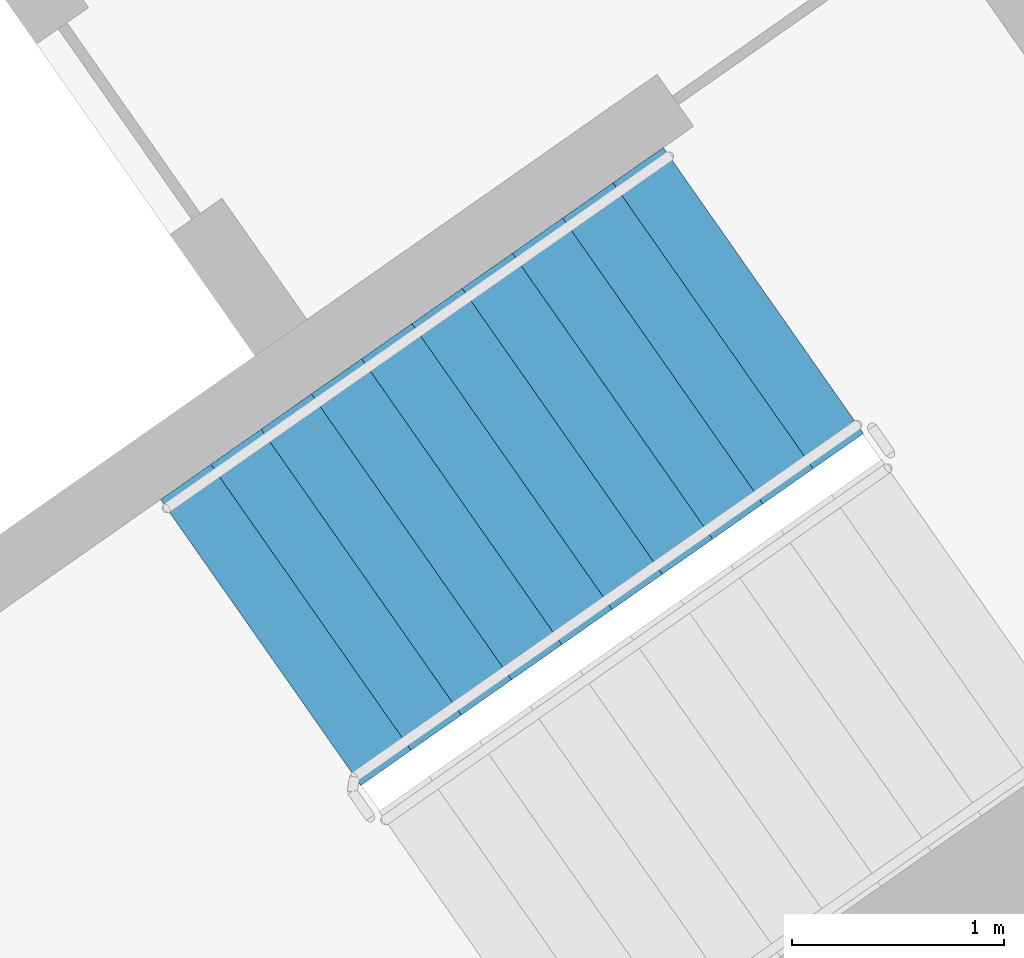
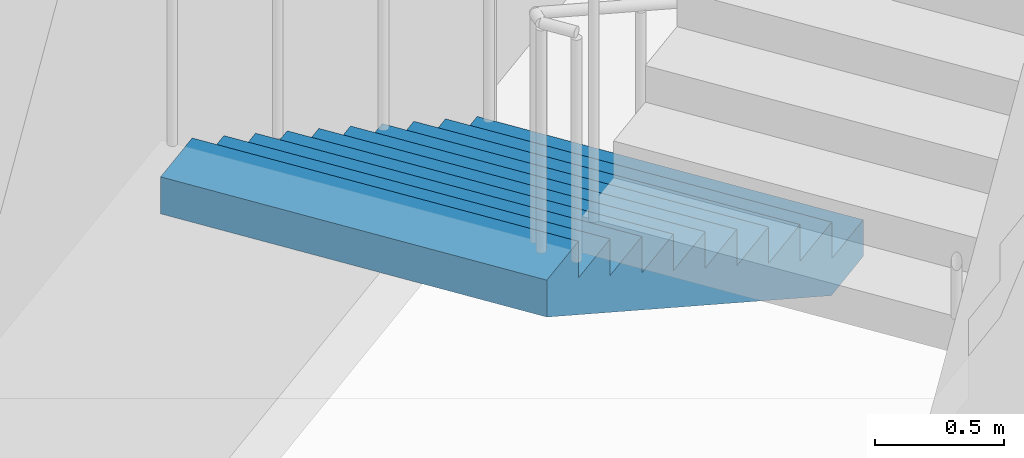
# One storey, part 15 of 28: 1 stair flight, 1 element without a shape of its own.
"""IFC4 building model written with IfcOpenShell, lengths in metres."""

from ifc_helpers import new_model, si_unit, direction, frame, origin, place, context, subcontext, project, spatial, faceted_brep, material, type_object, element, aggregate, save


model = new_model("IFC4")

# Units and contexts
model_context = context("Model", 3, precision=1e-05, world=origin(), true_north=direction((0.0, 1.0)))
body_context = subcontext(model_context, "Body", "Model", "MODEL_VIEW")
ifc_project = project(units=[si_unit("LENGTHUNIT", "METRE"), si_unit("AREAUNIT", "SQUARE_METRE"), si_unit("VOLUMEUNIT", "CUBIC_METRE"), si_unit("PLANEANGLEUNIT", "RADIAN"), si_unit("MASSUNIT", "GRAM", prefix="KILO")], contexts=[model_context])

# Site, building, storey
site_placement = place(None, origin())
site = spatial("IfcSite", under=ifc_project, at=site_placement, CompositionType="ELEMENT")
building_placement = place(site_placement, origin())
building = spatial("IfcBuilding", under=site, at=building_placement, Name="Qamariyya Broadcast Tower", CompositionType="ELEMENT")
storey_placement = place(building_placement, frame((0.0, 0.0, 273.300048828125)))
storey = spatial("IfcBuildingStorey", under=building, at=storey_placement, Name="L66", CompositionType="ELEMENT", Elevation=273.300048828125)

# Stair, stair flight
ifc_material = material(Name="Concrete C50/60", Category="concrete")
stair_type = type_object("IfcStairType", Name="Exit stair 22 risers of 173 mm", PredefinedType="HALF_TURN_STAIR", material=ifc_material)
stair_placement = place(storey_placement, origin())
stair = element("IfcStair", 1, at=stair_placement, inside=storey, type_object=stair_type, Name="L66 Stair E1", PredefinedType="HALF_TURN_STAIR")
stair_flight_type = type_object("IfcStairFlightType", Name="Exit stair flight 11 risers of 173 mm", PredefinedType="STRAIGHT", material=ifc_material)
stair_flight_placement = place(storey_placement, frame((46.036376953125, -55.508056640625, 0.0), z_axis=(0.0, 0.0, 1.0), x_axis=(-0.819152044289, -0.573576436351, 0.0)))
stair_flight = element("IfcStairFlight", 2, at=stair_flight_placement, type_object=stair_flight_type, Name="ST-E1 flight 1", NumberOfRisers=11, NumberOfTreads=10, PredefinedType="STRAIGHT", RiserHeight=0.172727273, TreadLength=0.29, context=body_context, shape_type="Brep", body=[
    faceted_brep([(0.0, 0.824951171875, 0.0), (0.0, 0.824951171875, 0.172607421875), (0.2900390625, 0.824951171875, 0.172607421875), (0.2900390625, 0.824951171875, 0.345458984375), (0.580078125, 0.824951171875, 0.345458984375), (0.580078125, 0.824951171875, 0.51806640625), (0.8701171875, 0.824951171875, 0.51806640625), (0.8701171875, 0.824951171875, 0.69091796875), (1.159912109375, 0.824951171875, 0.69091796875), (1.159912109375, 0.824951171875, 0.863525390625), (1.449951171875, 0.824951171875, 0.863525390625), (1.449951171875, 0.824951171875, 1.036376953125), (1.739990234375, 0.824951171875, 1.036376953125), (1.739990234375, 0.824951171875, 1.208984375), (2.030029296875, 0.824951171875, 1.208984375), (2.030029296875, 0.824951171875, 1.3818359375), (2.320068359375, 0.824951171875, 1.3818359375), (2.320068359375, 0.824951171875, 1.554443359375), (2.610107421875, 0.824951171875, 1.554443359375), (2.610107421875, 0.824951171875, 1.727294921875), (2.89990234375, 0.824951171875, 1.727294921875), (2.89990234375, 0.824951171875, 1.552734375), (0.29296875, 0.824951171875, 0.0), (0.29296875, -0.824951171875, 0.0), (2.89990234375, -0.824951171875, 1.552734375), (2.89990234375, -0.824951171875, 1.727294921875), (2.610107421875, -0.824951171875, 1.727294921875), (2.610107421875, -0.824951171875, 1.554443359375), (2.320068359375, -0.824951171875, 1.554443359375), (2.320068359375, -0.824951171875, 1.3818359375), (2.030029296875, -0.824951171875, 1.3818359375), (2.030029296875, -0.824951171875, 1.208984375), (1.739990234375, -0.824951171875, 1.208984375), (1.739990234375, -0.824951171875, 1.036376953125), (1.449951171875, -0.824951171875, 1.036376953125), (1.449951171875, -0.824951171875, 0.863525390625), (1.159912109375, -0.824951171875, 0.863525390625), (1.159912109375, -0.824951171875, 0.69091796875), (0.8701171875, -0.824951171875, 0.69091796875), (0.8701171875, -0.824951171875, 0.51806640625), (0.580078125, -0.824951171875, 0.51806640625), (0.580078125, -0.824951171875, 0.345458984375), (0.2900390625, -0.824951171875, 0.345458984375), (0.2900390625, -0.824951171875, 0.172607421875), (0.0, -0.824951171875, 0.172607421875), (0.0, -0.824951171875, 0.0), (0.0, 0.10009765625, 0.0), (0.0, 0.086669921875, 0.0), (0.0, 0.0732421875, 0.0), (0.0, 0.06005859375, 0.0), (0.0, 0.046630859375, 0.0), (0.0, 0.033447265625, 0.0), (0.0, 0.02001953125, 0.0), (0.0, 0.006591796875, 0.0), (0.0, -0.006591796875, 0.0), (0.0, -0.02001953125, 0.0), (0.0, -0.033447265625, 0.0), (0.0, -0.046630859375, 0.0), (0.0, -0.06005859375, 0.0), (0.0, -0.0732421875, 0.0), (0.0, -0.086669921875, 0.0), (0.0, -0.10009765625, 0.0), (0.0, -0.10009765625, 0.172607421875), (0.0, -0.086669921875, 0.172607421875), (0.0, -0.0732421875, 0.172607421875), (0.0, -0.06005859375, 0.172607421875), (0.0, -0.046630859375, 0.172607421875), (0.0, -0.033447265625, 0.172607421875), (0.0, -0.02001953125, 0.172607421875), (0.0, -0.006591796875, 0.172607421875), (0.0, 0.006591796875, 0.172607421875), (0.0, 0.02001953125, 0.172607421875), (0.0, 0.033447265625, 0.172607421875), (0.0, 0.046630859375, 0.172607421875), (0.0, 0.06005859375, 0.172607421875), (0.0, 0.0732421875, 0.172607421875), (0.0, 0.086669921875, 0.172607421875), (0.0, 0.10009765625, 0.172607421875), (0.2900390625, -0.10009765625, 0.172607421875), (0.2900390625, -0.086669921875, 0.172607421875), (0.2900390625, -0.0732421875, 0.172607421875), (0.2900390625, -0.06005859375, 0.172607421875), (0.2900390625, -0.046630859375, 0.172607421875), (0.2900390625, -0.033447265625, 0.172607421875), (0.2900390625, -0.02001953125, 0.172607421875), (0.2900390625, -0.006591796875, 0.172607421875), (0.2900390625, 0.006591796875, 0.172607421875), (0.2900390625, 0.02001953125, 0.172607421875), (0.2900390625, 0.033447265625, 0.172607421875), (0.2900390625, 0.046630859375, 0.172607421875), (0.2900390625, 0.06005859375, 0.172607421875), (0.2900390625, 0.0732421875, 0.172607421875), (0.2900390625, 0.086669921875, 0.172607421875), (0.2900390625, 0.10009765625, 0.172607421875), (0.2900390625, -0.10009765625, 0.345458984375), (0.2900390625, -0.086669921875, 0.345458984375), (0.2900390625, -0.0732421875, 0.345458984375), (0.2900390625, -0.06005859375, 0.345458984375), (0.2900390625, -0.046630859375, 0.345458984375), (0.2900390625, -0.033447265625, 0.345458984375), (0.2900390625, -0.02001953125, 0.345458984375), (0.2900390625, -0.006591796875, 0.345458984375), (0.2900390625, 0.006591796875, 0.345458984375), (0.2900390625, 0.02001953125, 0.345458984375), (0.2900390625, 0.033447265625, 0.345458984375), (0.2900390625, 0.046630859375, 0.345458984375), (0.2900390625, 0.06005859375, 0.345458984375), (0.2900390625, 0.0732421875, 0.345458984375), (0.2900390625, 0.086669921875, 0.345458984375), (0.2900390625, 0.10009765625, 0.345458984375), (0.580078125, -0.10009765625, 0.345458984375), (0.580078125, -0.086669921875, 0.345458984375), (0.580078125, -0.0732421875, 0.345458984375), (0.580078125, -0.06005859375, 0.345458984375), (0.580078125, -0.046630859375, 0.345458984375), (0.580078125, -0.033447265625, 0.345458984375), (0.580078125, -0.02001953125, 0.345458984375), (0.580078125, -0.006591796875, 0.345458984375), (0.580078125, 0.006591796875, 0.345458984375), (0.580078125, 0.02001953125, 0.345458984375), (0.580078125, 0.033447265625, 0.345458984375), (0.580078125, 0.046630859375, 0.345458984375), (0.580078125, 0.06005859375, 0.345458984375), (0.580078125, 0.0732421875, 0.345458984375), (0.580078125, 0.086669921875, 0.345458984375), (0.580078125, 0.10009765625, 0.345458984375), (0.580078125, -0.10009765625, 0.51806640625), (0.580078125, -0.086669921875, 0.51806640625), (0.580078125, -0.0732421875, 0.51806640625), (0.580078125, -0.06005859375, 0.51806640625), (0.580078125, -0.046630859375, 0.51806640625), (0.580078125, -0.033447265625, 0.51806640625), (0.580078125, -0.02001953125, 0.51806640625), (0.580078125, -0.006591796875, 0.51806640625), (0.580078125, 0.006591796875, 0.51806640625), (0.580078125, 0.02001953125, 0.51806640625), (0.580078125, 0.033447265625, 0.51806640625), (0.580078125, 0.046630859375, 0.51806640625), (0.580078125, 0.06005859375, 0.51806640625), (0.580078125, 0.0732421875, 0.51806640625), (0.580078125, 0.086669921875, 0.51806640625), (0.580078125, 0.10009765625, 0.51806640625), (0.8701171875, -0.10009765625, 0.51806640625), (0.8701171875, -0.086669921875, 0.51806640625), (0.8701171875, -0.0732421875, 0.51806640625), (0.8701171875, -0.06005859375, 0.51806640625), (0.8701171875, -0.046630859375, 0.51806640625), (0.8701171875, -0.033447265625, 0.51806640625), (0.8701171875, -0.02001953125, 0.51806640625), (0.8701171875, -0.006591796875, 0.51806640625), (0.8701171875, 0.006591796875, 0.51806640625), (0.8701171875, 0.02001953125, 0.51806640625), (0.8701171875, 0.033447265625, 0.51806640625), (0.8701171875, 0.046630859375, 0.51806640625), (0.8701171875, 0.06005859375, 0.51806640625), (0.8701171875, 0.0732421875, 0.51806640625), (0.8701171875, 0.086669921875, 0.51806640625), (0.8701171875, 0.10009765625, 0.51806640625), (0.8701171875, -0.10009765625, 0.69091796875), (0.8701171875, -0.086669921875, 0.69091796875), (0.8701171875, -0.0732421875, 0.69091796875), (0.8701171875, -0.06005859375, 0.69091796875), (0.8701171875, -0.046630859375, 0.69091796875), (0.8701171875, -0.033447265625, 0.69091796875), (0.8701171875, -0.02001953125, 0.69091796875), (0.8701171875, -0.006591796875, 0.69091796875), (0.8701171875, 0.006591796875, 0.69091796875), (0.8701171875, 0.02001953125, 0.69091796875), (0.8701171875, 0.033447265625, 0.69091796875), (0.8701171875, 0.046630859375, 0.69091796875), (0.8701171875, 0.06005859375, 0.69091796875), (0.8701171875, 0.0732421875, 0.69091796875), (0.8701171875, 0.086669921875, 0.69091796875), (0.8701171875, 0.10009765625, 0.69091796875), (1.159912109375, -0.10009765625, 0.69091796875), (1.159912109375, -0.086669921875, 0.69091796875), (1.159912109375, -0.0732421875, 0.69091796875), (1.159912109375, -0.06005859375, 0.69091796875), (1.159912109375, -0.046630859375, 0.69091796875), (1.159912109375, -0.033447265625, 0.69091796875), (1.159912109375, -0.02001953125, 0.69091796875), (1.159912109375, -0.006591796875, 0.69091796875), (1.159912109375, 0.006591796875, 0.69091796875), (1.159912109375, 0.02001953125, 0.69091796875), (1.159912109375, 0.033447265625, 0.69091796875), (1.159912109375, 0.046630859375, 0.69091796875), (1.159912109375, 0.06005859375, 0.69091796875), (1.159912109375, 0.0732421875, 0.69091796875), (1.159912109375, 0.086669921875, 0.69091796875), (1.159912109375, 0.10009765625, 0.69091796875), (1.159912109375, -0.10009765625, 0.863525390625), (1.159912109375, -0.086669921875, 0.863525390625), (1.159912109375, -0.0732421875, 0.863525390625), (1.159912109375, -0.06005859375, 0.863525390625), (1.159912109375, -0.046630859375, 0.863525390625), (1.159912109375, -0.033447265625, 0.863525390625), (1.159912109375, -0.02001953125, 0.863525390625), (1.159912109375, -0.006591796875, 0.863525390625), (1.159912109375, 0.006591796875, 0.863525390625), (1.159912109375, 0.02001953125, 0.863525390625), (1.159912109375, 0.033447265625, 0.863525390625), (1.159912109375, 0.046630859375, 0.863525390625), (1.159912109375, 0.06005859375, 0.863525390625), (1.159912109375, 0.0732421875, 0.863525390625), (1.159912109375, 0.086669921875, 0.863525390625), (1.159912109375, 0.10009765625, 0.863525390625), (1.449951171875, -0.10009765625, 0.863525390625), (1.449951171875, -0.086669921875, 0.863525390625), (1.449951171875, -0.0732421875, 0.863525390625), (1.449951171875, -0.06005859375, 0.863525390625), (1.449951171875, -0.046630859375, 0.863525390625), (1.449951171875, -0.033447265625, 0.863525390625), (1.449951171875, -0.02001953125, 0.863525390625), (1.449951171875, -0.006591796875, 0.863525390625), (1.449951171875, 0.006591796875, 0.863525390625), (1.449951171875, 0.02001953125, 0.863525390625), (1.449951171875, 0.033447265625, 0.863525390625), (1.449951171875, 0.046630859375, 0.863525390625), (1.449951171875, 0.06005859375, 0.863525390625), (1.449951171875, 0.0732421875, 0.863525390625), (1.449951171875, 0.086669921875, 0.863525390625), (1.449951171875, 0.10009765625, 0.863525390625), (1.449951171875, -0.10009765625, 1.036376953125), (1.449951171875, -0.086669921875, 1.036376953125), (1.449951171875, -0.0732421875, 1.036376953125), (1.449951171875, -0.06005859375, 1.036376953125), (1.449951171875, -0.046630859375, 1.036376953125), (1.449951171875, -0.033447265625, 1.036376953125), (1.449951171875, -0.02001953125, 1.036376953125), (1.449951171875, -0.006591796875, 1.036376953125), (1.449951171875, 0.006591796875, 1.036376953125), (1.449951171875, 0.02001953125, 1.036376953125), (1.449951171875, 0.033447265625, 1.036376953125), (1.449951171875, 0.046630859375, 1.036376953125), (1.449951171875, 0.06005859375, 1.036376953125), (1.449951171875, 0.0732421875, 1.036376953125), (1.449951171875, 0.086669921875, 1.036376953125), (1.449951171875, 0.10009765625, 1.036376953125), (1.739990234375, -0.10009765625, 1.036376953125), (1.739990234375, -0.086669921875, 1.036376953125), (1.739990234375, -0.0732421875, 1.036376953125), (1.739990234375, -0.06005859375, 1.036376953125), (1.739990234375, -0.046630859375, 1.036376953125), (1.739990234375, -0.033447265625, 1.036376953125), (1.739990234375, -0.02001953125, 1.036376953125), (1.739990234375, -0.006591796875, 1.036376953125), (1.739990234375, 0.006591796875, 1.036376953125), (1.739990234375, 0.02001953125, 1.036376953125), (1.739990234375, 0.033447265625, 1.036376953125), (1.739990234375, 0.046630859375, 1.036376953125), (1.739990234375, 0.06005859375, 1.036376953125), (1.739990234375, 0.0732421875, 1.036376953125), (1.739990234375, 0.086669921875, 1.036376953125), (1.739990234375, 0.10009765625, 1.036376953125), (1.739990234375, -0.10009765625, 1.208984375), (1.739990234375, -0.086669921875, 1.208984375), (1.739990234375, -0.0732421875, 1.208984375), (1.739990234375, -0.06005859375, 1.208984375), (1.739990234375, -0.046630859375, 1.208984375), (1.739990234375, -0.033447265625, 1.208984375), (1.739990234375, -0.02001953125, 1.208984375), (1.739990234375, -0.006591796875, 1.208984375), (1.739990234375, 0.006591796875, 1.208984375), (1.739990234375, 0.02001953125, 1.208984375), (1.739990234375, 0.033447265625, 1.208984375), (1.739990234375, 0.046630859375, 1.208984375), (1.739990234375, 0.06005859375, 1.208984375), (1.739990234375, 0.0732421875, 1.208984375), (1.739990234375, 0.086669921875, 1.208984375), (1.739990234375, 0.10009765625, 1.208984375), (2.030029296875, -0.10009765625, 1.208984375), (2.030029296875, -0.086669921875, 1.208984375), (2.030029296875, -0.0732421875, 1.208984375), (2.030029296875, -0.06005859375, 1.208984375), (2.030029296875, -0.046630859375, 1.208984375), (2.030029296875, -0.033447265625, 1.208984375), (2.030029296875, -0.02001953125, 1.208984375), (2.030029296875, -0.006591796875, 1.208984375), (2.030029296875, 0.006591796875, 1.208984375), (2.030029296875, 0.02001953125, 1.208984375), (2.030029296875, 0.033447265625, 1.208984375), (2.030029296875, 0.046630859375, 1.208984375), (2.030029296875, 0.06005859375, 1.208984375), (2.030029296875, 0.0732421875, 1.208984375), (2.030029296875, 0.086669921875, 1.208984375), (2.030029296875, 0.10009765625, 1.208984375), (2.030029296875, -0.10009765625, 1.3818359375), (2.030029296875, -0.086669921875, 1.3818359375), (2.030029296875, -0.0732421875, 1.3818359375), (2.030029296875, -0.06005859375, 1.3818359375), (2.030029296875, -0.046630859375, 1.3818359375), (2.030029296875, -0.033447265625, 1.3818359375), (2.030029296875, -0.02001953125, 1.3818359375), (2.030029296875, -0.006591796875, 1.3818359375), (2.030029296875, 0.006591796875, 1.3818359375), (2.030029296875, 0.02001953125, 1.3818359375), (2.030029296875, 0.033447265625, 1.3818359375), (2.030029296875, 0.046630859375, 1.3818359375), (2.030029296875, 0.06005859375, 1.3818359375), (2.030029296875, 0.0732421875, 1.3818359375), (2.030029296875, 0.086669921875, 1.3818359375), (2.030029296875, 0.10009765625, 1.3818359375), (2.320068359375, -0.10009765625, 1.3818359375), (2.320068359375, -0.086669921875, 1.3818359375), (2.320068359375, -0.0732421875, 1.3818359375), (2.320068359375, -0.06005859375, 1.3818359375), (2.320068359375, -0.046630859375, 1.3818359375), (2.320068359375, -0.033447265625, 1.3818359375), (2.320068359375, -0.02001953125, 1.3818359375), (2.320068359375, -0.006591796875, 1.3818359375), (2.320068359375, 0.006591796875, 1.3818359375), (2.320068359375, 0.02001953125, 1.3818359375), (2.320068359375, 0.033447265625, 1.3818359375), (2.320068359375, 0.046630859375, 1.3818359375), (2.320068359375, 0.06005859375, 1.3818359375), (2.320068359375, 0.0732421875, 1.3818359375), (2.320068359375, 0.086669921875, 1.3818359375), (2.320068359375, 0.10009765625, 1.3818359375), (2.320068359375, -0.10009765625, 1.554443359375), (2.320068359375, -0.086669921875, 1.554443359375), (2.320068359375, -0.0732421875, 1.554443359375), (2.320068359375, -0.06005859375, 1.554443359375), (2.320068359375, -0.046630859375, 1.554443359375), (2.320068359375, -0.033447265625, 1.554443359375), (2.320068359375, -0.02001953125, 1.554443359375), (2.320068359375, -0.006591796875, 1.554443359375), (2.320068359375, 0.006591796875, 1.554443359375), (2.320068359375, 0.02001953125, 1.554443359375), (2.320068359375, 0.033447265625, 1.554443359375), (2.320068359375, 0.046630859375, 1.554443359375), (2.320068359375, 0.06005859375, 1.554443359375), (2.320068359375, 0.0732421875, 1.554443359375), (2.320068359375, 0.086669921875, 1.554443359375), (2.320068359375, 0.10009765625, 1.554443359375), (2.610107421875, -0.10009765625, 1.554443359375), (2.610107421875, -0.086669921875, 1.554443359375), (2.610107421875, -0.0732421875, 1.554443359375), (2.610107421875, -0.06005859375, 1.554443359375), (2.610107421875, -0.046630859375, 1.554443359375), (2.610107421875, -0.033447265625, 1.554443359375), (2.610107421875, -0.02001953125, 1.554443359375), (2.610107421875, -0.006591796875, 1.554443359375), (2.610107421875, 0.006591796875, 1.554443359375), (2.610107421875, 0.02001953125, 1.554443359375), (2.610107421875, 0.033447265625, 1.554443359375), (2.610107421875, 0.046630859375, 1.554443359375), (2.610107421875, 0.06005859375, 1.554443359375), (2.610107421875, 0.0732421875, 1.554443359375), (2.610107421875, 0.086669921875, 1.554443359375), (2.610107421875, 0.10009765625, 1.554443359375), (2.610107421875, -0.10009765625, 1.727294921875), (2.610107421875, -0.086669921875, 1.727294921875), (2.610107421875, -0.0732421875, 1.727294921875), (2.610107421875, -0.06005859375, 1.727294921875), (2.610107421875, -0.046630859375, 1.727294921875), (2.610107421875, -0.033447265625, 1.727294921875), (2.610107421875, -0.02001953125, 1.727294921875), (2.610107421875, -0.006591796875, 1.727294921875), (2.610107421875, 0.006591796875, 1.727294921875), (2.610107421875, 0.02001953125, 1.727294921875), (2.610107421875, 0.033447265625, 1.727294921875), (2.610107421875, 0.046630859375, 1.727294921875), (2.610107421875, 0.06005859375, 1.727294921875), (2.610107421875, 0.0732421875, 1.727294921875), (2.610107421875, 0.086669921875, 1.727294921875), (2.610107421875, 0.10009765625, 1.727294921875), (2.89990234375, -0.10009765625, 1.727294921875), (2.89990234375, -0.086669921875, 1.727294921875), (2.89990234375, -0.0732421875, 1.727294921875), (2.89990234375, -0.06005859375, 1.727294921875), (2.89990234375, -0.046630859375, 1.727294921875), (2.89990234375, -0.033447265625, 1.727294921875), (2.89990234375, -0.02001953125, 1.727294921875), (2.89990234375, -0.006591796875, 1.727294921875), (2.89990234375, 0.006591796875, 1.727294921875), (2.89990234375, 0.02001953125, 1.727294921875), (2.89990234375, 0.033447265625, 1.727294921875), (2.89990234375, 0.046630859375, 1.727294921875), (2.89990234375, 0.06005859375, 1.727294921875), (2.89990234375, 0.0732421875, 1.727294921875), (2.89990234375, 0.086669921875, 1.727294921875), (2.89990234375, 0.10009765625, 1.727294921875), (2.89990234375, -0.10009765625, 1.552734375), (2.89990234375, -0.086669921875, 1.552734375), (2.89990234375, -0.0732421875, 1.552734375), (2.89990234375, -0.06005859375, 1.552734375), (2.89990234375, -0.046630859375, 1.552734375), (2.89990234375, -0.033447265625, 1.552734375), (2.89990234375, -0.02001953125, 1.552734375), (2.89990234375, -0.006591796875, 1.552734375), (2.89990234375, 0.006591796875, 1.552734375), (2.89990234375, 0.02001953125, 1.552734375), (2.89990234375, 0.033447265625, 1.552734375), (2.89990234375, 0.046630859375, 1.552734375), (2.89990234375, 0.06005859375, 1.552734375), (2.89990234375, 0.0732421875, 1.552734375), (2.89990234375, 0.086669921875, 1.552734375), (2.89990234375, 0.10009765625, 1.552734375), (0.29296875, -0.10009765625, 0.0), (0.29296875, -0.086669921875, 0.0), (0.29296875, -0.0732421875, 0.0), (0.29296875, -0.06005859375, 0.0), (0.29296875, -0.046630859375, 0.0), (0.29296875, -0.033447265625, 0.0), (0.29296875, -0.02001953125, 0.0), (0.29296875, -0.006591796875, 0.0), (0.29296875, 0.006591796875, 0.0), (0.29296875, 0.02001953125, 0.0), (0.29296875, 0.033447265625, 0.0), (0.29296875, 0.046630859375, 0.0), (0.29296875, 0.06005859375, 0.0), (0.29296875, 0.0732421875, 0.0), (0.29296875, 0.086669921875, 0.0), (0.29296875, 0.10009765625, 0.0)], [[[0, 1, 2, 3, 4, 5, 6, 7, 8, 9, 10, 11, 12, 13, 14, 15, 16, 17, 18, 19, 20, 21, 22]], [[23, 24, 25, 26, 27, 28, 29, 30, 31, 32, 33, 34, 35, 36, 37, 38, 39, 40, 41, 42, 43, 44, 45]], [[0, 46, 47, 48, 49, 50, 51, 52, 53, 54, 55, 56, 57, 58, 59, 60, 61, 45, 44, 62, 63, 64, 65, 66, 67, 68, 69, 70, 71, 72, 73, 74, 75, 76, 77, 1]], [[1, 77, 76, 75, 74, 73, 72, 71, 70, 69, 68, 67, 66, 65, 64, 63, 62, 44, 43, 78, 79, 80, 81, 82, 83, 84, 85, 86, 87, 88, 89, 90, 91, 92, 93, 2]], [[2, 93, 92, 91, 90, 89, 88, 87, 86, 85, 84, 83, 82, 81, 80, 79, 78, 43, 42, 94, 95, 96, 97, 98, 99, 100, 101, 102, 103, 104, 105, 106, 107, 108, 109, 3]], [[3, 109, 108, 107, 106, 105, 104, 103, 102, 101, 100, 99, 98, 97, 96, 95, 94, 42, 41, 110, 111, 112, 113, 114, 115, 116, 117, 118, 119, 120, 121, 122, 123, 124, 125, 4]], [[4, 125, 124, 123, 122, 121, 120, 119, 118, 117, 116, 115, 114, 113, 112, 111, 110, 41, 40, 126, 127, 128, 129, 130, 131, 132, 133, 134, 135, 136, 137, 138, 139, 140, 141, 5]], [[5, 141, 140, 139, 138, 137, 136, 135, 134, 133, 132, 131, 130, 129, 128, 127, 126, 40, 39, 142, 143, 144, 145, 146, 147, 148, 149, 150, 151, 152, 153, 154, 155, 156, 157, 6]], [[6, 157, 156, 155, 154, 153, 152, 151, 150, 149, 148, 147, 146, 145, 144, 143, 142, 39, 38, 158, 159, 160, 161, 162, 163, 164, 165, 166, 167, 168, 169, 170, 171, 172, 173, 7]], [[7, 173, 172, 171, 170, 169, 168, 167, 166, 165, 164, 163, 162, 161, 160, 159, 158, 38, 37, 174, 175, 176, 177, 178, 179, 180, 181, 182, 183, 184, 185, 186, 187, 188, 189, 8]], [[8, 189, 188, 187, 186, 185, 184, 183, 182, 181, 180, 179, 178, 177, 176, 175, 174, 37, 36, 190, 191, 192, 193, 194, 195, 196, 197, 198, 199, 200, 201, 202, 203, 204, 205, 9]], [[9, 205, 204, 203, 202, 201, 200, 199, 198, 197, 196, 195, 194, 193, 192, 191, 190, 36, 35, 206, 207, 208, 209, 210, 211, 212, 213, 214, 215, 216, 217, 218, 219, 220, 221, 10]], [[10, 221, 220, 219, 218, 217, 216, 215, 214, 213, 212, 211, 210, 209, 208, 207, 206, 35, 34, 222, 223, 224, 225, 226, 227, 228, 229, 230, 231, 232, 233, 234, 235, 236, 237, 11]], [[11, 237, 236, 235, 234, 233, 232, 231, 230, 229, 228, 227, 226, 225, 224, 223, 222, 34, 33, 238, 239, 240, 241, 242, 243, 244, 245, 246, 247, 248, 249, 250, 251, 252, 253, 12]], [[12, 253, 252, 251, 250, 249, 248, 247, 246, 245, 244, 243, 242, 241, 240, 239, 238, 33, 32, 254, 255, 256, 257, 258, 259, 260, 261, 262, 263, 264, 265, 266, 267, 268, 269, 13]], [[13, 269, 268, 267, 266, 265, 264, 263, 262, 261, 260, 259, 258, 257, 256, 255, 254, 32, 31, 270, 271, 272, 273, 274, 275, 276, 277, 278, 279, 280, 281, 282, 283, 284, 285, 14]], [[14, 285, 284, 283, 282, 281, 280, 279, 278, 277, 276, 275, 274, 273, 272, 271, 270, 31, 30, 286, 287, 288, 289, 290, 291, 292, 293, 294, 295, 296, 297, 298, 299, 300, 301, 15]], [[15, 301, 300, 299, 298, 297, 296, 295, 294, 293, 292, 291, 290, 289, 288, 287, 286, 30, 29, 302, 303, 304, 305, 306, 307, 308, 309, 310, 311, 312, 313, 314, 315, 316, 317, 16]], [[16, 317, 316, 315, 314, 313, 312, 311, 310, 309, 308, 307, 306, 305, 304, 303, 302, 29, 28, 318, 319, 320, 321, 322, 323, 324, 325, 326, 327, 328, 329, 330, 331, 332, 333, 17]], [[17, 333, 332, 331, 330, 329, 328, 327, 326, 325, 324, 323, 322, 321, 320, 319, 318, 28, 27, 334, 335, 336, 337, 338, 339, 340, 341, 342, 343, 344, 345, 346, 347, 348, 349, 18]], [[18, 349, 348, 347, 346, 345, 344, 343, 342, 341, 340, 339, 338, 337, 336, 335, 334, 27, 26, 350, 351, 352, 353, 354, 355, 356, 357, 358, 359, 360, 361, 362, 363, 364, 365, 19]], [[19, 365, 364, 363, 362, 361, 360, 359, 358, 357, 356, 355, 354, 353, 352, 351, 350, 26, 25, 366, 367, 368, 369, 370, 371, 372, 373, 374, 375, 376, 377, 378, 379, 380, 381, 20]], [[20, 381, 380, 379, 378, 377, 376, 375, 374, 373, 372, 371, 370, 369, 368, 367, 366, 25, 24, 382, 383, 384, 385, 386, 387, 388, 389, 390, 391, 392, 393, 394, 395, 396, 397, 21]], [[21, 397, 396, 395, 394, 393, 392, 391, 390, 389, 388, 387, 386, 385, 384, 383, 382, 24, 23, 398, 399, 400, 401, 402, 403, 404, 405, 406, 407, 408, 409, 410, 411, 412, 413, 22]], [[22, 413, 412, 411, 410, 409, 408, 407, 406, 405, 404, 403, 402, 401, 400, 399, 398, 23, 45, 61, 60, 59, 58, 57, 56, 55, 54, 53, 52, 51, 50, 49, 48, 47, 46, 0]]]),
])
aggregate(stair, [stair_flight])

save(model, "model.ifc")
